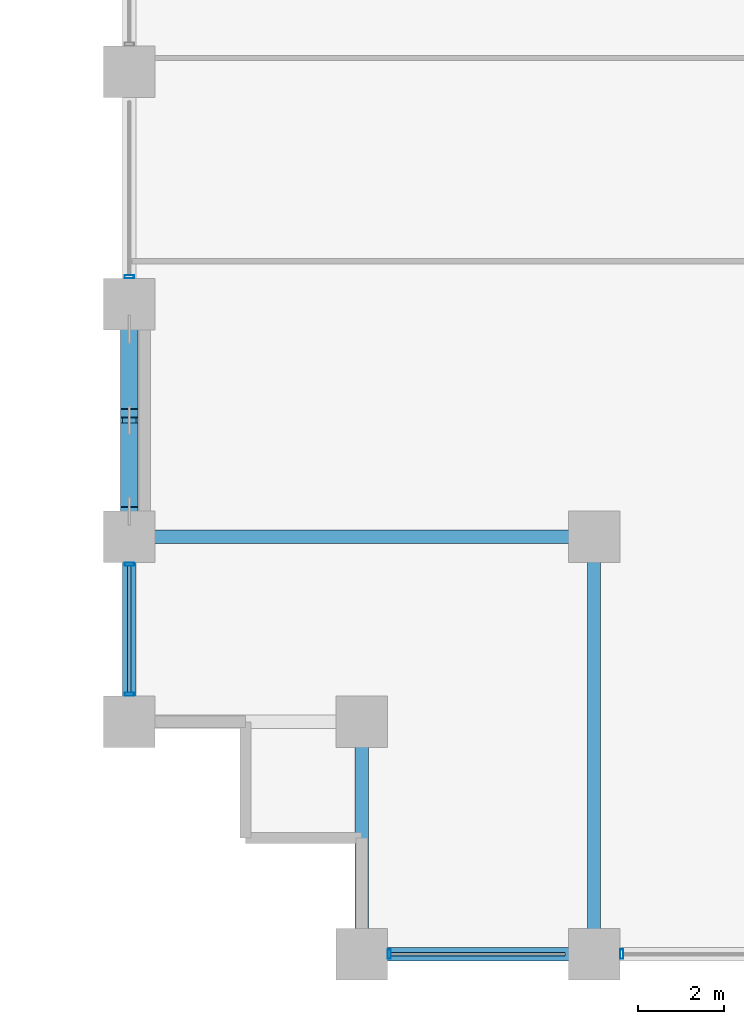
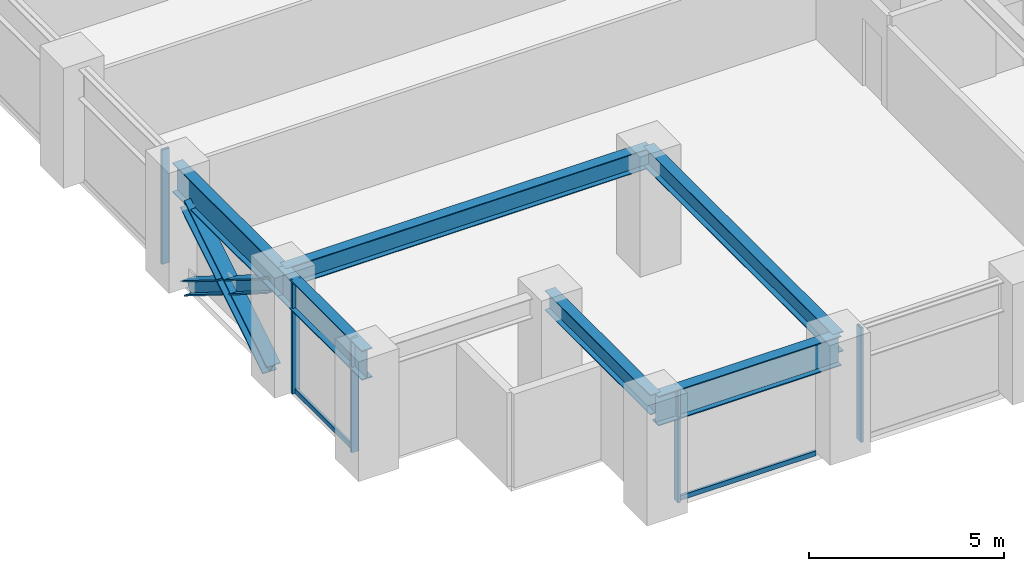
# One storey, part 2 of 28: 10 members, 6 beams, 3 elements without a shape of their own.
"""IFC4 building model written with IfcOpenShell, lengths in metres."""

from ifc_helpers import new_model, si_unit, direction, frame, origin, origin_2d, place, context, subcontext, project, spatial, hollow_rectangle, i_section, extrude, material, layer, layer_set, material_profile, profile_set, type_object, element, aggregate, save


model = new_model("IFC4")

# Units and contexts
model_context = context("Model", 3, precision=1e-05, world=origin(), true_north=direction((0.0, 1.0)))
body_context = subcontext(model_context, "Body", "Model", "MODEL_VIEW")
ifc_project = project(units=[si_unit("LENGTHUNIT", "METRE"), si_unit("AREAUNIT", "SQUARE_METRE"), si_unit("VOLUMEUNIT", "CUBIC_METRE"), si_unit("PLANEANGLEUNIT", "RADIAN"), si_unit("MASSUNIT", "GRAM", prefix="KILO")], contexts=[model_context])

# Site, building, storey
site_placement = place(None, origin())
site = spatial("IfcSite", under=ifc_project, at=site_placement, CompositionType="ELEMENT")
building_placement = place(site_placement, origin())
building = spatial("IfcBuilding", under=site, at=building_placement, Name="Surkhivell Harbour Commons", CompositionType="ELEMENT")
storey_placement = place(building_placement, frame((0.0, 0.0, 67.5)))
storey = spatial("IfcBuildingStorey", under=building, at=storey_placement, Name="L17", CompositionType="ELEMENT", Elevation=67.5)

# Beams
ifc_material_1 = material(Name="Steel S355", Category="steel")
ifc_material_profile_1 = material_profile(ifc_material_1, i_section(OverallWidth=0.306884765625, OverallDepth=0.6201171875, WebThickness=0.01416015625, FlangeThickness=0.023681640625, at=origin_2d()), Name="UB610x305x179")
ifc_profile_set_1 = profile_set([ifc_material_profile_1], Name="Steel S355")
beam_type_1 = type_object("IfcBeamType", Name="BM-GRD-610A", PredefinedType="BEAM", material=ifc_profile_set_1)
beam_1_placement = place(storey_placement, frame((-32.39990234375, -16.199951171875, 3.260009765625), z_axis=(1.0, 0.0, 0.0), x_axis=(0.0, 1.0, 0.0)))
element("IfcBeam", 1, at=beam_1_placement, inside=storey, type_object=beam_type_1, Name="L17 Floor Girder (-32.4,-16.2)", PredefinedType="BEAM", context=body_context, shape_type="SweptSolid", body=[
    extrude(i_section(OverallWidth=0.306884765625, OverallDepth=0.6201171875, WebThickness=0.01416015625, FlangeThickness=0.023681640625, at=origin_2d()), origin(), (0.0, 0.0, 1.0), 10.7998046875),
])
beam_2_placement = place(storey_placement, frame((-27.0, -25.89990234375, 3.260009765625), z_axis=(0.0, 1.0, 0.0), x_axis=(-1.0, 0.0, 0.0)))
element("IfcBeam", 2, at=beam_2_placement, inside=storey, type_object=beam_type_1, Name="L17 Floor Girder (-27.0,-25.9)", PredefinedType="BEAM", context=body_context, shape_type="SweptSolid", body=[
    extrude(i_section(OverallWidth=0.306884765625, OverallDepth=0.6201171875, WebThickness=0.01416015625, FlangeThickness=0.023681640625, at=origin_2d()), origin(), (0.0, 0.0, 1.0), 5.39990234375),
])
beam_3_placement = place(storey_placement, frame((-21.60009765625, -25.89990234375, 3.260009765625), z_axis=(0.0, 1.0, 0.0), x_axis=(-1.0, 0.0, 0.0)))
element("IfcBeam", 3, at=beam_3_placement, inside=storey, type_object=beam_type_1, Name="L17 Floor Girder (-21.6,-25.9)", PredefinedType="BEAM", context=body_context, shape_type="SweptSolid", body=[
    extrude(i_section(OverallWidth=0.306884765625, OverallDepth=0.6201171875, WebThickness=0.01416015625, FlangeThickness=0.023681640625, at=origin_2d()), origin(), (0.0, 0.0, 1.0), 9.699951171875),
])
ifc_material_2 = material(Name="Steel S460", Category="steel")
ifc_material_profile_2 = material_profile(ifc_material_2, i_section(OverallWidth=0.30810546875, OverallDepth=0.927001953125, WebThickness=0.01953125, FlangeThickness=0.031982421875, at=origin_2d()), Name="UB914x305x289")
ifc_profile_set_2 = profile_set([ifc_material_profile_2], Name="Steel S460")
beam_type_2 = type_object("IfcBeamType", Name="BM-SPN-914B", PredefinedType="SPANDREL", material=ifc_profile_set_2)
beam_4_placement = place(storey_placement, frame((-32.39990234375, -20.5, 3.1064453125), z_axis=(0.0, 1.0, 0.0), x_axis=(-1.0, 0.0, 0.0)))
element("IfcBeam", 4, at=beam_4_placement, inside=storey, type_object=beam_type_2, Name="L17 Tube Spandrel (-32.4,-20.5)", PredefinedType="SPANDREL", context=body_context, shape_type="SweptSolid", body=[
    extrude(i_section(OverallWidth=0.30810546875, OverallDepth=0.927001953125, WebThickness=0.01953125, FlangeThickness=0.031982421875, at=origin_2d()), origin(), (0.0, 0.0, 1.0), 4.300048828125),
])
for number, where, z_axis, x_axis, name in (
    (5, (-32.39990234375, -16.199951171875, 3.1064453125), (0.0, 1.0, 0.0), (-1.0, 0.0, 0.0), "L17 Tube Spandrel (-32.4,-16.2)"),
    (6, (-27.0, -25.89990234375, 3.1064453125), (1.0, 0.0, 0.0), (0.0, 1.0, 0.0), "L17 Tube Spandrel (-27.0,-25.9)"),
):
    element("IfcBeam", number, at=place(storey_placement, frame(where, z_axis=z_axis, x_axis=x_axis)), inside=storey, type_object=beam_type_2, Name=name, PredefinedType="SPANDREL", context=body_context, shape_type="SweptSolid", body=[
        extrude(i_section(OverallWidth=0.30810546875, OverallDepth=0.927001953125, WebThickness=0.01953125, FlangeThickness=0.031982421875, at=origin_2d()), origin(), (0.0, 0.0, 1.0), 5.39990234375),
    ])

# Curtain wall, members
ifc_material_3 = material(Name="Anodised pale-metal aluminium and insulated glazing", Category="aluminium")
ifc_layer = layer(ifc_material_3, 0.219970703125)
ifc_layer_set = layer_set([ifc_layer], Name="Anodised pale-metal aluminium and insulated glazing")
curtain_wall_type = type_object("IfcCurtainWallType", Name="CW-SYS-Z1", PredefinedType="NOTDEFINED", material=ifc_layer_set)
curtain_wall_1_placement = place(storey_placement, origin())
curtain_wall_1 = element("IfcCurtainWall", 7, at=curtain_wall_1_placement, inside=storey, type_object=curtain_wall_type, Name="L17 Curtain Wall CW-L17-E00S1", PredefinedType="NOTDEFINED")
ifc_material_4 = material(Name="Anodised pale-metal aluminium alloy 6063-T6", Category="aluminium")
ifc_material_profile_3 = material_profile(ifc_material_4, hollow_rectangle(XDim=0.074951171875, YDim=0.219970703125, WallThickness=0.00390625, at=origin_2d()), Name="ALU-MULL-75x220")
ifc_profile_set_3 = profile_set([ifc_material_profile_3], Name="Anodised pale-metal aluminium alloy 6063-T6")
member_type_1 = type_object("IfcMemberType", Name="CWM-220", PredefinedType="MULLION", material=ifc_profile_set_3)
member_1_placement = place(storey_placement, frame((-26.360595703125, -25.89990234375, 0.0), z_axis=(0.0, 0.0, 1.0), x_axis=(1.0, 0.0, 0.0)))
member_1 = element("IfcMember", 8, at=member_1_placement, type_object=member_type_1, Name="CW-Z1 mullion 1", PredefinedType="MULLION", context=body_context, shape_type="SweptSolid", body=[
    extrude(hollow_rectangle(XDim=0.074951171875, YDim=0.219970703125, WallThickness=0.00390625, at=origin_2d()), origin(), (0.0, 0.0, 1.0), 3.570068359375),
])
member_2_placement = place(storey_placement, frame((-20.96044921875, -25.89990234375, 0.0), z_axis=(0.0, 0.0, 1.0), x_axis=(1.0, 0.0, 0.0)))
member_2 = element("IfcMember", 9, at=member_2_placement, type_object=member_type_1, Name="CW-Z1 mullion 2", PredefinedType="MULLION", context=body_context, shape_type="SweptSolid", body=[
    extrude(hollow_rectangle(XDim=0.074951171875, YDim=0.219970703125, WallThickness=0.00390625, at=origin_2d()), origin(), (0.0, 0.0, 1.0), 3.570068359375),
])

curtain_wall_2_placement = place(storey_placement, origin())
curtain_wall_2 = element("IfcCurtainWall", 10, at=curtain_wall_2_placement, inside=storey, type_object=curtain_wall_type, Name="L17 Curtain Wall CW-L17-E12R1S1", PredefinedType="NOTDEFINED")
member_3_placement = place(storey_placement, frame((-32.39990234375, -19.860595703125, 0.0), z_axis=(0.0, 0.0, 1.0), x_axis=(0.0, 1.0, 0.0)))
member_3 = element("IfcMember", 11, at=member_3_placement, type_object=member_type_1, Name="CW-Z1 mullion 1", PredefinedType="MULLION", context=body_context, shape_type="SweptSolid", body=[
    extrude(hollow_rectangle(XDim=0.074951171875, YDim=0.219970703125, WallThickness=0.00390625, at=origin_2d()), origin(), (0.0, 0.0, 1.0), 3.570068359375),
])
member_4_placement = place(storey_placement, frame((-32.39990234375, -16.839599609375, 0.0), z_axis=(0.0, 0.0, 1.0), x_axis=(0.0, 1.0, 0.0)))
member_4 = element("IfcMember", 12, at=member_4_placement, type_object=member_type_1, Name="CW-Z1 mullion 2", PredefinedType="MULLION", context=body_context, shape_type="SweptSolid", body=[
    extrude(hollow_rectangle(XDim=0.074951171875, YDim=0.219970703125, WallThickness=0.00390625, at=origin_2d()), origin(), (0.0, 0.0, 1.0), 3.570068359375),
])

# Curtain wall, member
curtain_wall_3_placement = place(storey_placement, origin())
curtain_wall_3 = element("IfcCurtainWall", 13, at=curtain_wall_3_placement, inside=storey, type_object=curtain_wall_type, Name="L17 Curtain Wall CW-L17-E12R1S2", PredefinedType="NOTDEFINED")
member_5_placement = place(storey_placement, frame((-32.39990234375, -10.160400390625, 0.0), z_axis=(0.0, 0.0, 1.0), x_axis=(0.0, 1.0, 0.0)))
member_5 = element("IfcMember", 14, at=member_5_placement, type_object=member_type_1, Name="CW-Z1 mullion 1", PredefinedType="MULLION", context=body_context, shape_type="SweptSolid", body=[
    extrude(hollow_rectangle(XDim=0.074951171875, YDim=0.219970703125, WallThickness=0.00390625, at=origin_2d()), origin(), (0.0, 0.0, 1.0), 3.570068359375),
])
aggregate(curtain_wall_3, [member_5])

# Member
ifc_material_profile_4 = material_profile(ifc_material_4, hollow_rectangle(XDim=0.074951171875, YDim=0.14990234375, WallThickness=0.00341796875, at=origin_2d()), Name="ALU-TRAN-75x150")
ifc_profile_set_4 = profile_set([ifc_material_profile_4], Name="Anodised pale-metal aluminium alloy 6063-T6")
member_type_2 = type_object("IfcMemberType", Name="CWT-150", PredefinedType="USERDEFINED", material=ifc_profile_set_4)
member_6_placement = place(storey_placement, frame((-26.322998046875, -25.89990234375, 0.074951171875), z_axis=(1.0, 0.0, 0.0), x_axis=(0.0, 1.0, 0.0)))
member_6 = element("IfcMember", 15, at=member_6_placement, type_object=member_type_2, Name="CW-Z1 transom 1.1", ObjectType="TRANSOM", PredefinedType="USERDEFINED", context=body_context, shape_type="SweptSolid", body=[
    extrude(hollow_rectangle(XDim=0.074951171875, YDim=0.14990234375, WallThickness=0.00341796875, at=origin_2d()), origin(), (0.0, 0.0, 1.0), 4.0458984375),
])

aggregate(curtain_wall_1, [member_1, member_6, member_2])

member_7_placement = place(storey_placement, frame((-32.39990234375, -19.822998046875, 0.074951171875), z_axis=(0.0, 1.0, 0.0), x_axis=(-1.0, 0.0, 0.0)))
member_7 = element("IfcMember", 16, at=member_7_placement, type_object=member_type_2, Name="CW-Z1 transom 1.1", ObjectType="TRANSOM", PredefinedType="USERDEFINED", context=body_context, shape_type="SweptSolid", body=[
    extrude(hollow_rectangle(XDim=0.074951171875, YDim=0.14990234375, WallThickness=0.00341796875, at=origin_2d()), origin(), (0.0, 0.0, 1.0), 2.946044921875),
])

aggregate(curtain_wall_2, [member_3, member_4, member_7])

# Members
ifc_material_profile_5 = material_profile(ifc_material_2, i_section(OverallWidth=0.406005859375, OverallDepth=0.416015625, WebThickness=0.026611328125, FlangeThickness=0.0390625, at=origin_2d()), Name="HD400x382")
ifc_profile_set_5 = profile_set([ifc_material_profile_5], Name="Steel S460")
member_type_3 = type_object("IfcMemberType", Name="MEM-BRC-HD382", PredefinedType="BRACE", material=ifc_profile_set_5)
member_8_placement = place(storey_placement, frame((-32.39990234375, -15.614990234375, 0.008056640625), z_axis=(0.0, 0.848432685315, 0.529303295369), x_axis=(-1.0, 0.0, 0.0)))
element("IfcMember", 17, at=member_8_placement, inside=storey, type_object=member_type_3, Name="L17 Perimeter Mega-Brace MB- 10", PredefinedType="BRACE", context=body_context, shape_type="SweptSolid", body=[
    extrude(i_section(OverallWidth=0.406005859375, OverallDepth=0.416015625, WebThickness=0.026611328125, FlangeThickness=0.0390625, at=origin_2d()), origin(), (0.0, 0.0, 1.0), 4.985595703125),
])
member_9_placement = place(storey_placement, frame((-32.39990234375, -11.385009765625, 0.008056640625), z_axis=(0.0, -0.848458555811, 0.529261824688), x_axis=(1.0, 0.0, 0.0)))
element("IfcMember", 18, at=member_9_placement, inside=storey, type_object=member_type_3, Name="L17 Perimeter Mega-Brace MB- 11", PredefinedType="BRACE", context=body_context, shape_type="SweptSolid", body=[
    extrude(i_section(OverallWidth=0.406005859375, OverallDepth=0.416015625, WebThickness=0.026611328125, FlangeThickness=0.0390625, at=origin_2d()), origin(), (0.0, 0.0, 1.0), 2.29296875),
])
member_10_placement = place(storey_placement, frame((-32.39990234375, -13.66943359375, 1.43310546875), z_axis=(0.0, -0.848410744023, 0.529338463958), x_axis=(1.0, 0.0, 0.0)))
element("IfcMember", 19, at=member_10_placement, inside=storey, type_object=member_type_3, Name="L17 Perimeter Mega-Brace MB- 12", PredefinedType="BRACE", context=body_context, shape_type="SweptSolid", body=[
    extrude(i_section(OverallWidth=0.406005859375, OverallDepth=0.416015625, WebThickness=0.026611328125, FlangeThickness=0.0390625, at=origin_2d()), origin(), (0.0, 0.0, 1.0), 2.293212890625),
])

save(model, "model.ifc")
